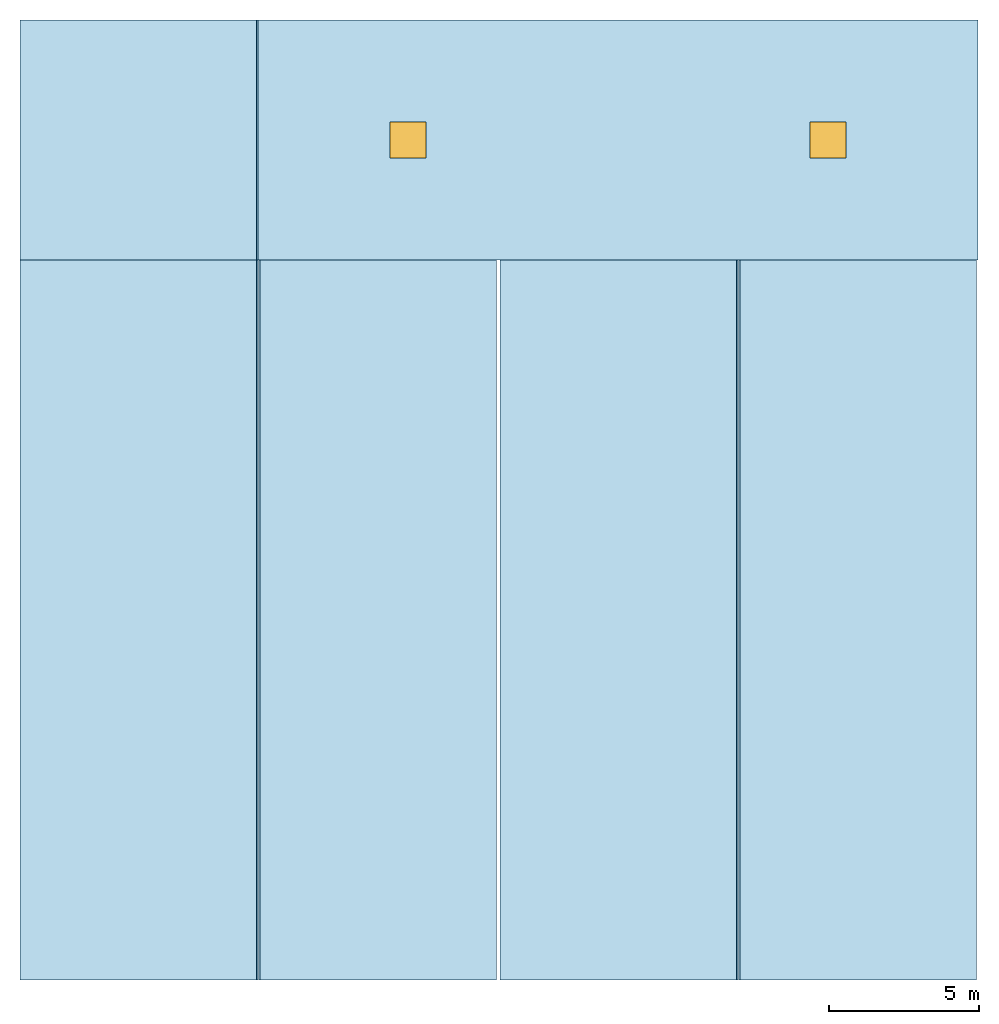
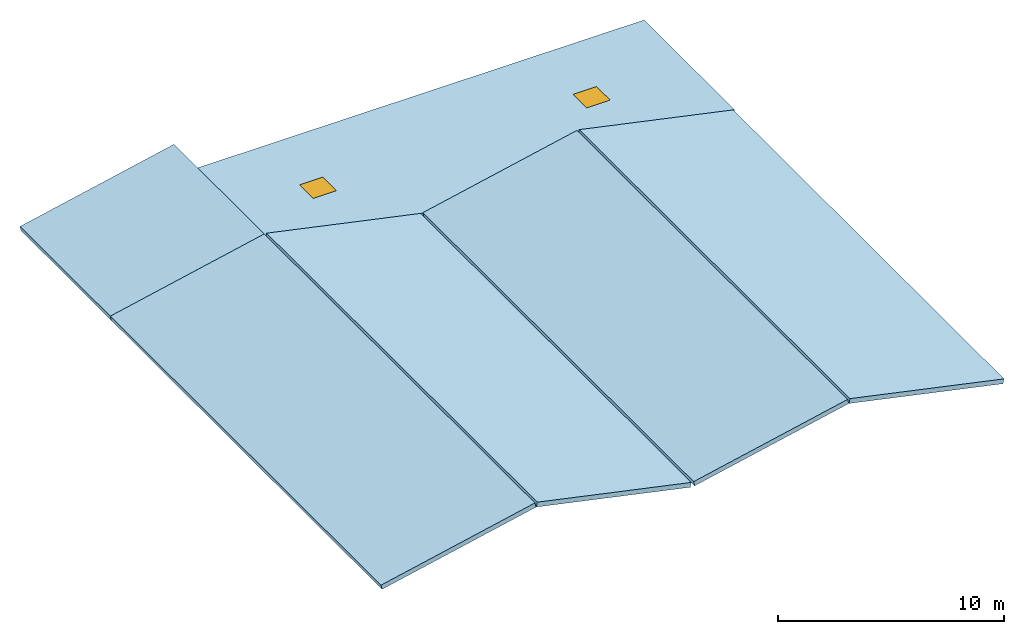
# One storey: 6 slabs, 2 windows, 2 openings.
"""IFC4 building model written with IfcOpenShell, lengths in metres."""

from ifc_helpers import new_model, si_unit, direction, frame, origin, origin_2d, place, context, subcontext, project, spatial, polyline, rectangle, outline, extrude, material, layer, layer_set, type_object, element, fill, save


model = new_model("IFC4")

# Units and contexts
model_context = context("Model", 3, precision=1e-05, world=origin(), true_north=direction((0.0, 1.0)))
body_context = subcontext(model_context, "Body", "Model", "MODEL_VIEW")
ifc_project = project(units=[si_unit("LENGTHUNIT", "METRE"), si_unit("AREAUNIT", "SQUARE_METRE"), si_unit("VOLUMEUNIT", "CUBIC_METRE"), si_unit("PLANEANGLEUNIT", "RADIAN"), si_unit("MASSUNIT", "GRAM", prefix="KILO")], contexts=[model_context])

# Site, building, storey
site_placement = place(None, origin())
site = spatial("IfcSite", under=ifc_project, at=site_placement, CompositionType="ELEMENT")
building_placement = place(site_placement, origin())
building = spatial("IfcBuilding", under=site, at=building_placement, Name="Varnela Railside Interchange", CompositionType="ELEMENT")
storey_placement = place(building_placement, frame((0.0, 0.0, 40.60009765625)))
storey = spatial("IfcBuildingStorey", under=building, at=storey_placement, Name="ROOF", CompositionType="ELEMENT", Elevation=40.60009765625)

# Slabs
ifc_material_1 = material(Name="Concrete C40", Category="concrete")
ifc_layer_1 = layer(ifc_material_1, 0.25)
ifc_layer_set_1 = layer_set([ifc_layer_1], Name="Concrete C40")
slab_type_1 = type_object("IfcSlabType", Name="Folded Concrete Acoustic Crown Shell FS-02", PredefinedType="ROOF", material=ifc_layer_set_1)
for number, where, z_axis, x_axis, name in (
    (1, (4.06005859375, 46.0, 0.010009765625), (-0.209694594038, 0.0, 0.977766934004), (0.977766934004, 0.0, 0.209694594038), "Folded Concrete Acoustic Crown Shell FS-02 (ROOF) (SL-0221)"),
    (2, (12.06005859375, 46.0, 1.699951171875), (0.209694594038, 0.0, 0.977766934004), (0.977766934004, 0.0, -0.209694594038), "Folded Concrete Acoustic Crown Shell FS-02 (ROOF) (SL-0222)"),
    (3, (20.06005859375, 46.0, 0.010009765625), (-0.209694594038, 0.0, 0.977766934004), (0.977766934004, 0.0, 0.209694594038), "Folded Concrete Acoustic Crown Shell FS-02 (ROOF) (SL-0223)"),
    (4, (28.06005859375, 46.0, 1.699951171875), (0.209694594038, 0.0, 0.977766934004), (0.977766934004, 0.0, -0.209694594038), "Folded Concrete Acoustic Crown Shell FS-02 (ROOF) (SL-0224)"),
):
    element("IfcSlab", number, at=place(storey_placement, frame(where, z_axis=z_axis, x_axis=x_axis)), inside=storey, type_object=slab_type_1, Name=name, PredefinedType="ROOF", context=body_context, shape_type="SweptSolid", body=[
        extrude(outline(polyline([(0.0, 0.0), (8.059060435019155, 0.0), (8.059060435019155, 24.0), (0.0, 24.0), (0.0, 0.0)])), origin(), (0.0, 0.0, -1.0), 0.25),
    ])
slab_1_placement = place(storey_placement, frame((4.06005859375, 70.0, 0.010009765625), z_axis=(-0.209694594038, 0.0, 0.977766934004), x_axis=(0.977766934004, 0.0, 0.209694594038)))
element("IfcSlab", 5, at=slab_1_placement, inside=storey, type_object=slab_type_1, Name="Folded Concrete Acoustic Crown Shell FS-02 (ROOF) (SL-0225)", PredefinedType="ROOF", context=body_context, shape_type="SweptSolid", body=[
    extrude(outline(polyline([(0.0, 0.0), (8.059060435019155, 0.0), (8.059060435019155, 8.0), (0.0, 8.0), (0.0, 0.0)])), origin(), (0.0, 0.0, -1.0), 0.25),
])

# Slab, openings, windows
ifc_layer_2 = layer(ifc_material_1, 0.219970703125)
ifc_layer_set_2 = layer_set([ifc_layer_2], Name="Concrete C40")
slab_type_2 = type_object("IfcSlabType", Name="Maintenance Hatch Roof Slab SL-RF", PredefinedType="ROOF", material=ifc_layer_set_2)
slab_2_placement = place(storey_placement, frame((0.0, 0.0, -0.22021484375)))
slab_2 = element("IfcSlab", 6, at=slab_2_placement, inside=storey, type_object=slab_type_2, Name="Maintenance Hatch Roof Slab SL-RF (ROOF) (SL-0220)", PredefinedType="ROOF", context=body_context, shape_type="SweptSolid", body=[
    extrude(outline(polyline([(12.0, 70.0), (36.0, 70.0), (36.0, 78.0), (12.0, 78.0), (12.0, 70.0)])), origin(), (0.0, 0.0, 1.0), 0.22021484375),
])
opening_1_placement = place(slab_2_placement, frame((17.0, 74.0, -0.010009765625)))
opening_1 = element("IfcOpeningElement", 7, at=opening_1_placement, cuts=slab_2, Name="Opening RH-01", PredefinedType="OPENING", context=body_context, shape_type="SweptSolid", body=[
    extrude(rectangle(XDim=1.199951171875, YDim=1.199951171875, at=origin_2d()), origin(), (0.0, 0.0, 1.0), 0.240234375),
])
opening_2_placement = place(slab_2_placement, frame((31.0, 74.0, -0.010009765625)))
opening_2 = element("IfcOpeningElement", 8, at=opening_2_placement, cuts=slab_2, Name="Opening RH-02", PredefinedType="OPENING", context=body_context, shape_type="SweptSolid", body=[
    extrude(rectangle(XDim=1.199951171875, YDim=1.199951171875, at=origin_2d()), origin(), (0.0, 0.0, 1.0), 0.240234375),
])
ifc_material_2 = material(Name="Steel AR 350 (350 MPa)", Category="steel")
window_type = type_object("IfcWindowType", Name="Roof Maintenance Access Hatch RH-01", PartitioningType="SINGLE_PANEL", PredefinedType="LIGHTDOME", material=ifc_material_2)
window_1_placement = place(slab_2_placement, frame((17.0, 74.0, 0.170166015625)))
window_1 = element("IfcWindow", 9, at=window_1_placement, inside=storey, type_object=window_type, Name="Skylight RH-01", OverallHeight=1.199951171875, OverallWidth=1.199951171875, PartitioningType="SINGLE_PANEL", PredefinedType="LIGHTDOME", context=body_context, shape_type="SweptSolid", body=[
    extrude(rectangle(XDim=1.199951171875, YDim=1.199951171875, at=origin_2d()), origin(), (0.0, 0.0, 1.0), 0.050048828125),
])
fill(opening_1, window_1)
window_2_placement = place(slab_2_placement, frame((31.0, 74.0, 0.170166015625)))
window_2 = element("IfcWindow", 10, at=window_2_placement, inside=storey, type_object=window_type, Name="Skylight RH-02", OverallHeight=1.199951171875, OverallWidth=1.199951171875, PartitioningType="SINGLE_PANEL", PredefinedType="LIGHTDOME", context=body_context, shape_type="SweptSolid", body=[
    extrude(rectangle(XDim=1.199951171875, YDim=1.199951171875, at=origin_2d()), origin(), (0.0, 0.0, 1.0), 0.050048828125),
])
fill(opening_2, window_2)

save(model, "model.ifc")
